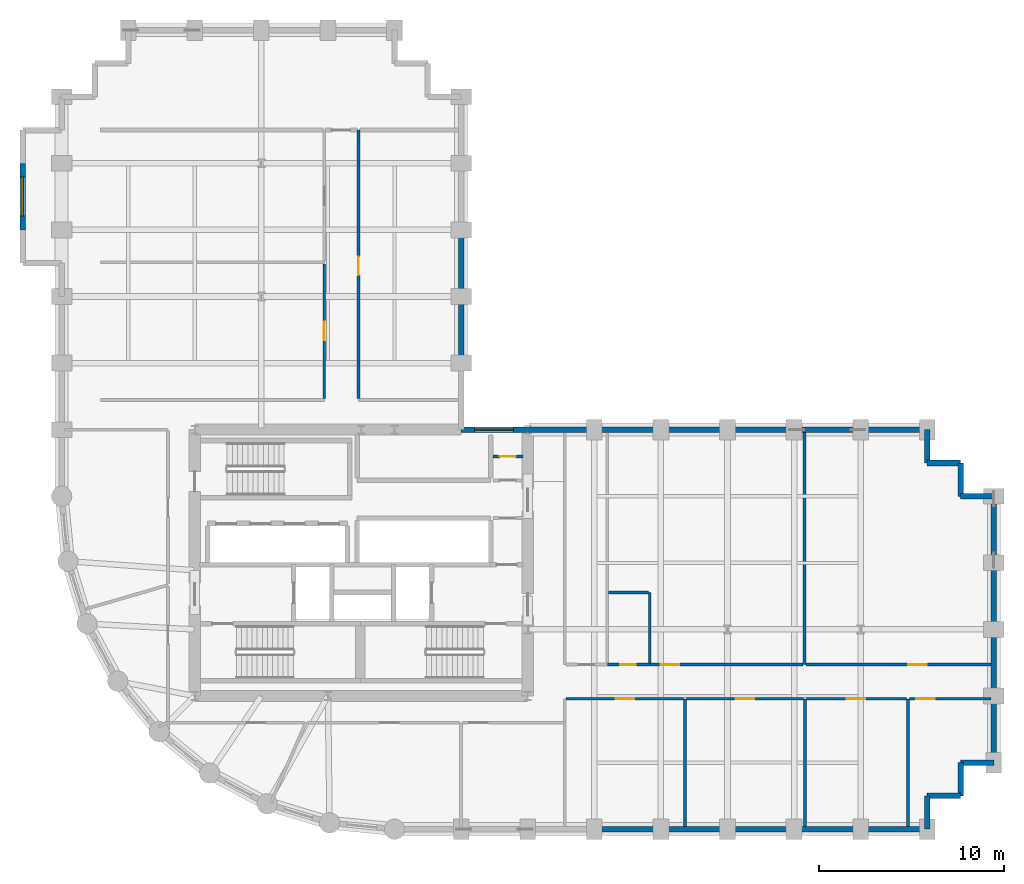
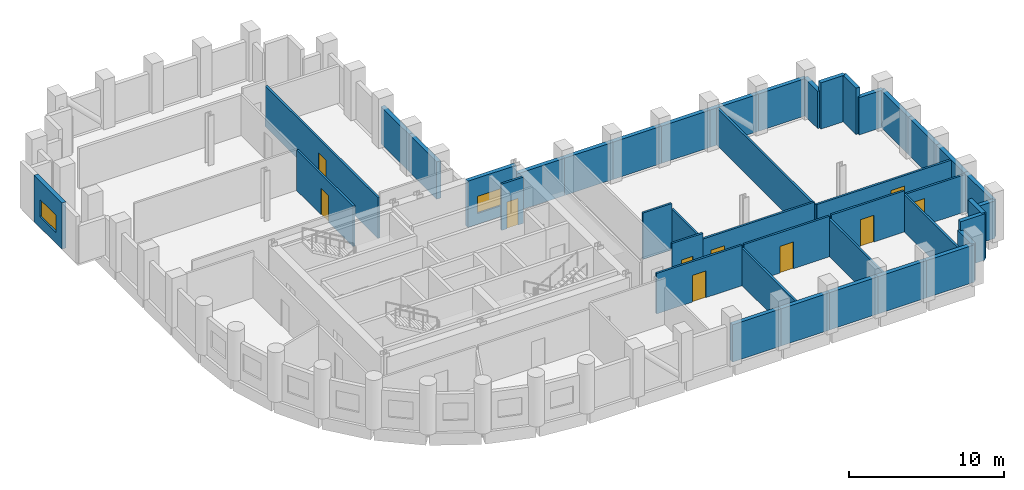
# One storey, part 5 of 7: 43 walls, 10 doors, 2 windows, 12 openings.
"""IFC4 building model written with IfcOpenShell, lengths in metres."""

from ifc_helpers import new_model, si_unit, direction, frame, frame_2d, origin, place, context, subcontext, project, spatial, rectangle, extrude, material, layer, layer_set, type_object, element, fill, save


model = new_model("IFC4")

# Units and contexts
model_context = context("Model", 3, precision=1e-05, world=origin(), true_north=direction((0.0, 1.0)))
body_context = subcontext(model_context, "Body", "Model", "MODEL_VIEW")
ifc_project = project(units=[si_unit("LENGTHUNIT", "METRE"), si_unit("AREAUNIT", "SQUARE_METRE"), si_unit("VOLUMEUNIT", "CUBIC_METRE"), si_unit("PLANEANGLEUNIT", "RADIAN"), si_unit("MASSUNIT", "GRAM", prefix="KILO")], contexts=[model_context])

# Site, building, storey
site_placement = place(None, origin())
site = spatial("IfcSite", under=ifc_project, at=site_placement, CompositionType="ELEMENT")
building_placement = place(site_placement, origin())
building = spatial("IfcBuilding", under=site, at=building_placement, Name="Solnavia Interchange Tower", CompositionType="ELEMENT")
storey_placement = place(building_placement, frame((0.0, 0.0, 91.800048828125)))
storey = spatial("IfcBuildingStorey", under=building, at=storey_placement, Name="L22", CompositionType="ELEMENT", Elevation=91.800048828125)

# Walls
ifc_material_1 = material(Name="Concrete C40/50", Category="concrete")
ifc_layer_1 = layer(ifc_material_1, 0.300048828125)
ifc_layer_set_1 = layer_set([ifc_layer_1], Name="Concrete C40/50")
wall_type_1 = type_object("IfcWallType", Name="Wall-ExtSpandrel-300", PredefinedType="STANDARD", material=ifc_layer_set_1)
wall_1_placement = place(storey_placement, frame((39.60009765625, 3.60009765625, 0.0), z_axis=(0.0, 0.0, 1.0), x_axis=(-1.0, 0.0, 0.0)))
element("IfcWall", 1, at=wall_1_placement, inside=storey, type_object=wall_type_1, Name="EXW-L22-04 Exterior precast spandrel wall", PredefinedType="STANDARD", context=body_context, shape_type="SweptSolid", body=[
    extrude(rectangle(XDim=3.60009765625, YDim=0.300048828125, at=frame_2d((1.800048828125, 0.0))), origin(), (0.0, 0.0, 1.0), 2.929931640625),
])
wall_2_placement = place(storey_placement, frame((43.199951171875, 3.60009765625, 0.0), z_axis=(0.0, 0.0, 1.0), x_axis=(-1.0, 0.0, 0.0)))
element("IfcWall", 2, at=wall_2_placement, inside=storey, type_object=wall_type_1, Name="EXW-L22-05 Exterior precast spandrel wall", PredefinedType="STANDARD", context=body_context, shape_type="SweptSolid", body=[
    extrude(rectangle(XDim=3.599853515625, YDim=0.300048828125, at=frame_2d((1.7998046875, 0.0))), origin(), (0.0, 0.0, 1.0), 2.929931640625),
])
wall_3_placement = place(storey_placement, frame((46.800048828125, 3.60009765625, 0.0), z_axis=(0.0, 0.0, 1.0), x_axis=(-1.0, 0.0, 0.0)))
element("IfcWall", 3, at=wall_3_placement, inside=storey, type_object=wall_type_1, Name="EXW-L22-06 Exterior precast spandrel wall", PredefinedType="STANDARD", context=body_context, shape_type="SweptSolid", body=[
    extrude(rectangle(XDim=3.60009765625, YDim=0.300048828125, at=frame_2d((1.800048828125, 0.0))), origin(), (0.0, 0.0, 1.0), 2.929931640625),
])
wall_4_placement = place(storey_placement, frame((50.39990234375, 3.60009765625, 0.0), z_axis=(0.0, 0.0, 1.0), x_axis=(-1.0, 0.0, 0.0)))
element("IfcWall", 4, at=wall_4_placement, inside=storey, type_object=wall_type_1, Name="EXW-L22-07 Exterior precast spandrel wall", PredefinedType="STANDARD", context=body_context, shape_type="SweptSolid", body=[
    extrude(rectangle(XDim=3.599853515625, YDim=0.300048828125, at=frame_2d((1.7998046875, 0.0))), origin(), (0.0, 0.0, 1.0), 2.929931640625),
])
wall_5_placement = place(storey_placement, frame((54.0, 3.60009765625, 0.0), z_axis=(0.0, 0.0, 1.0), x_axis=(-1.0, 0.0, 0.0)))
element("IfcWall", 5, at=wall_5_placement, inside=storey, type_object=wall_type_1, Name="EXW-L22-08 Exterior precast spandrel wall", PredefinedType="STANDARD", context=body_context, shape_type="SweptSolid", body=[
    extrude(rectangle(XDim=3.60009765625, YDim=0.300048828125, at=frame_2d((1.800048828125, 0.0))), origin(), (0.0, 0.0, 1.0), 2.929931640625),
])
wall_6_placement = place(storey_placement, frame((54.0, 5.39990234375, 0.0), z_axis=(0.0, 0.0, 1.0), x_axis=(0.0, -1.0, 0.0)))
element("IfcWall", 6, at=wall_6_placement, inside=storey, type_object=wall_type_1, Name="EXW-L22-09 Exterior precast spandrel wall", PredefinedType="STANDARD", context=body_context, shape_type="SweptSolid", body=[
    extrude(rectangle(XDim=1.7998046875, YDim=0.300048828125, at=frame_2d((0.89990234375, 0.0))), origin(), (0.0, 0.0, 1.0), 2.929931640625),
])
for number, where, z_axis, x_axis, name in (
    (7, (55.800048828125, 5.39990234375, 0.0), (0.0, 0.0, 1.0), (-1.0, 0.0, 0.0), "EXW-L22-10 Exterior precast spandrel wall"),
    (8, (55.800048828125, 7.199951171875, 0.0), (0.0, 0.0, 1.0), (0.0, -1.0, 0.0), "EXW-L22-11 Exterior precast spandrel wall"),
):
    element("IfcWall", number, at=place(storey_placement, frame(where, z_axis=z_axis, x_axis=x_axis)), inside=storey, type_object=wall_type_1, Name=name, PredefinedType="STANDARD", context=body_context, shape_type="SweptSolid", body=[
        extrude(rectangle(XDim=1.800048828125, YDim=0.300048828125, at=frame_2d((0.89990234375, 0.0))), origin(), (0.0, 0.0, 1.0), 3.635009765625),
    ])
wall_7_placement = place(storey_placement, frame((57.60009765625, 7.199951171875, 0.0), z_axis=(0.0, 0.0, 1.0), x_axis=(-1.0, 0.0, 0.0)))
element("IfcWall", 9, at=wall_7_placement, inside=storey, type_object=wall_type_1, Name="EXW-L22-12 Exterior precast spandrel wall", PredefinedType="STANDARD", context=body_context, shape_type="SweptSolid", body=[
    extrude(rectangle(XDim=1.800048828125, YDim=0.300048828125, at=frame_2d((0.89990234375, 0.0))), origin(), (0.0, 0.0, 1.0), 2.929931640625),
])
wall_8_placement = place(storey_placement, frame((57.60009765625, 10.800048828125, 0.0), z_axis=(0.0, 0.0, 1.0), x_axis=(0.0, -1.0, 0.0)))
element("IfcWall", 10, at=wall_8_placement, inside=storey, type_object=wall_type_1, Name="EXW-L22-13 Exterior precast spandrel wall", PredefinedType="STANDARD", context=body_context, shape_type="SweptSolid", body=[
    extrude(rectangle(XDim=3.60009765625, YDim=0.300048828125, at=frame_2d((1.800048828125, 0.0))), origin(), (0.0, 0.0, 1.0), 2.929931640625),
])
wall_9_placement = place(storey_placement, frame((57.60009765625, 14.39990234375, 0.0), z_axis=(0.0, 0.0, 1.0), x_axis=(0.0, -1.0, 0.0)))
element("IfcWall", 11, at=wall_9_placement, inside=storey, type_object=wall_type_1, Name="EXW-L22-14 Exterior precast spandrel wall", PredefinedType="STANDARD", context=body_context, shape_type="SweptSolid", body=[
    extrude(rectangle(XDim=3.599853515625, YDim=0.300048828125, at=frame_2d((1.7998046875, 0.0))), origin(), (0.0, 0.0, 1.0), 2.929931640625),
])
for number, where, z_axis, x_axis, name in (
    (12, (57.60009765625, 18.0, 0.0), (0.0, 0.0, 1.0), (0.0, -1.0, 0.0), "EXW-L22-15 Exterior precast spandrel wall"),
    (13, (57.60009765625, 21.60009765625, 0.0), (0.0, 0.0, 1.0), (0.0, -1.0, 0.0), "EXW-L22-16 Exterior precast spandrel wall"),
):
    element("IfcWall", number, at=place(storey_placement, frame(where, z_axis=z_axis, x_axis=x_axis)), inside=storey, type_object=wall_type_1, Name=name, PredefinedType="STANDARD", context=body_context, shape_type="SweptSolid", body=[
        extrude(rectangle(XDim=3.60009765625, YDim=0.300048828125, at=frame_2d((1.800048828125, 0.0))), origin(), (0.0, 0.0, 1.0), 2.929931640625),
    ])
wall_10_placement = place(storey_placement, frame((55.800048828125, 21.60009765625, 0.0), z_axis=(0.0, 0.0, 1.0), x_axis=(1.0, 0.0, 0.0)))
element("IfcWall", 14, at=wall_10_placement, inside=storey, type_object=wall_type_1, Name="EXW-L22-17 Exterior precast spandrel wall", PredefinedType="STANDARD", context=body_context, shape_type="SweptSolid", body=[
    extrude(rectangle(XDim=1.800048828125, YDim=0.300048828125, at=frame_2d((0.89990234375, 0.0))), origin(), (0.0, 0.0, 1.0), 2.929931640625),
])
wall_11_placement = place(storey_placement, frame((55.800048828125, 23.39990234375, 0.0), z_axis=(0.0, 0.0, 1.0), x_axis=(0.0, -1.0, 0.0)))
element("IfcWall", 15, at=wall_11_placement, inside=storey, type_object=wall_type_1, Name="EXW-L22-18 Exterior precast spandrel wall", PredefinedType="STANDARD", context=body_context, shape_type="SweptSolid", body=[
    extrude(rectangle(XDim=1.7998046875, YDim=0.300048828125, at=frame_2d((0.89990234375, 0.0))), origin(), (0.0, 0.0, 1.0), 3.635009765625),
])
wall_12_placement = place(storey_placement, frame((54.0, 23.39990234375, 0.0), z_axis=(0.0, 0.0, 1.0), x_axis=(1.0, 0.0, 0.0)))
element("IfcWall", 16, at=wall_12_placement, inside=storey, type_object=wall_type_1, Name="EXW-L22-19 Exterior precast spandrel wall", PredefinedType="STANDARD", context=body_context, shape_type="SweptSolid", body=[
    extrude(rectangle(XDim=1.800048828125, YDim=0.300048828125, at=frame_2d((0.89990234375, 0.0))), origin(), (0.0, 0.0, 1.0), 3.635009765625),
])
wall_13_placement = place(storey_placement, frame((54.0, 25.199951171875, 0.0), z_axis=(0.0, 0.0, 1.0), x_axis=(0.0, -1.0, 0.0)))
element("IfcWall", 17, at=wall_13_placement, inside=storey, type_object=wall_type_1, Name="EXW-L22-20 Exterior precast spandrel wall", PredefinedType="STANDARD", context=body_context, shape_type="SweptSolid", body=[
    extrude(rectangle(XDim=1.800048828125, YDim=0.300048828125, at=frame_2d((0.89990234375, 0.0))), origin(), (0.0, 0.0, 1.0), 2.929931640625),
])
wall_14_placement = place(storey_placement, frame((50.39990234375, 25.199951171875, 0.0), z_axis=(0.0, 0.0, 1.0), x_axis=(1.0, 0.0, 0.0)))
element("IfcWall", 18, at=wall_14_placement, inside=storey, type_object=wall_type_1, Name="EXW-L22-21 Exterior precast spandrel wall", PredefinedType="STANDARD", context=body_context, shape_type="SweptSolid", body=[
    extrude(rectangle(XDim=3.60009765625, YDim=0.300048828125, at=frame_2d((1.800048828125, 0.0))), origin(), (0.0, 0.0, 1.0), 2.929931640625),
])
wall_15_placement = place(storey_placement, frame((46.800048828125, 25.199951171875, 0.0), z_axis=(0.0, 0.0, 1.0), x_axis=(1.0, 0.0, 0.0)))
element("IfcWall", 19, at=wall_15_placement, inside=storey, type_object=wall_type_1, Name="EXW-L22-22 Exterior precast spandrel wall", PredefinedType="STANDARD", context=body_context, shape_type="SweptSolid", body=[
    extrude(rectangle(XDim=3.599853515625, YDim=0.300048828125, at=frame_2d((1.7998046875, 0.0))), origin(), (0.0, 0.0, 1.0), 2.929931640625),
])
wall_16_placement = place(storey_placement, frame((43.199951171875, 25.199951171875, 0.0), z_axis=(0.0, 0.0, 1.0), x_axis=(1.0, 0.0, 0.0)))
element("IfcWall", 20, at=wall_16_placement, inside=storey, type_object=wall_type_1, Name="EXW-L22-23 Exterior precast spandrel wall", PredefinedType="STANDARD", context=body_context, shape_type="SweptSolid", body=[
    extrude(rectangle(XDim=3.60009765625, YDim=0.300048828125, at=frame_2d((1.800048828125, 0.0))), origin(), (0.0, 0.0, 1.0), 2.929931640625),
])
wall_17_placement = place(storey_placement, frame((39.60009765625, 25.199951171875, 0.0), z_axis=(0.0, 0.0, 1.0), x_axis=(1.0, 0.0, 0.0)))
element("IfcWall", 21, at=wall_17_placement, inside=storey, type_object=wall_type_1, Name="EXW-L22-24 Exterior precast spandrel wall", PredefinedType="STANDARD", context=body_context, shape_type="SweptSolid", body=[
    extrude(rectangle(XDim=3.599853515625, YDim=0.300048828125, at=frame_2d((1.7998046875, 0.0))), origin(), (0.0, 0.0, 1.0), 2.929931640625),
])
for number, where, z_axis, x_axis, name in (
    (22, (36.0, 25.199951171875, 0.0), (0.0, 0.0, 1.0), (1.0, 0.0, 0.0), "EXW-L22-25 Exterior precast spandrel wall"),
    (23, (32.39990234375, 25.199951171875, 0.0), (0.0, 0.0, 1.0), (1.0, 0.0, 0.0), "EXW-L22-26 Exterior precast spandrel wall"),
):
    element("IfcWall", number, at=place(storey_placement, frame(where, z_axis=z_axis, x_axis=x_axis)), inside=storey, type_object=wall_type_1, Name=name, PredefinedType="STANDARD", context=body_context, shape_type="SweptSolid", body=[
        extrude(rectangle(XDim=3.60009765625, YDim=0.300048828125, at=frame_2d((1.800048828125, 0.0))), origin(), (0.0, 0.0, 1.0), 2.929931640625),
    ])

# Wall, opening, window
wall_18_placement = place(storey_placement, frame((28.800048828125, 25.199951171875, 0.0), z_axis=(0.0, 0.0, 1.0), x_axis=(1.0, 0.0, 0.0)))
wall_18 = element("IfcWall", 24, at=wall_18_placement, inside=storey, type_object=wall_type_1, Name="EXW-L22-27 Exterior precast spandrel wall", PredefinedType="STANDARD", context=body_context, shape_type="SweptSolid", body=[
    extrude(rectangle(XDim=3.599853515625, YDim=0.300048828125, at=frame_2d((1.7998046875, 0.0))), origin(), (0.0, 0.0, 1.0), 3.635009765625),
])
opening_1_placement = place(wall_18_placement, frame((0.72802734375, 0.0, 0.85009765625)))
opening_1 = element("IfcOpeningElement", 25, at=opening_1_placement, cuts=wall_18, Name="Opening WIN-01", PredefinedType="OPENING", context=body_context, shape_type="SweptSolid", body=[
    extrude(rectangle(XDim=2.10009765625, YDim=1.35009765625, at=frame_2d((1.050048828125, 0.675048828125))), frame((0.0, 0.16015625, 0.0), z_axis=(0.0, -1.0, 0.0), x_axis=(1.0, 0.0, 0.0)), (0.0, 0.0, 1.0), 0.320068359375),
])
ifc_material_2 = material(Name="Thermal-Break Aluminium & Low-E Glass", Category="aluminium")
window_type = type_object("IfcWindowType", Name="Window-Ribbon-2100x1350", PartitioningType="SINGLE_PANEL", PredefinedType="WINDOW", material=ifc_material_2)
window_1_placement = place(opening_1_placement, origin())
window_1 = element("IfcWindow", 26, at=window_1_placement, inside=storey, type_object=window_type, Name="WIN-L22-27 Facade ribbon window", OverallHeight=1.35009765625, OverallWidth=2.10009765625, PartitioningType="SINGLE_PANEL", PredefinedType="WINDOW", context=body_context, shape_type="SweptSolid", body=[
    extrude(rectangle(XDim=2.10009765625, YDim=1.35009765625, at=frame_2d((1.050048828125, 0.675048828125))), frame((0.0, 0.030029296875, 0.0), z_axis=(0.0, -1.0, 0.0), x_axis=(1.0, 0.0, 0.0)), (0.0, 0.0, 1.0), 0.06005859375),
])
fill(opening_1, window_1)

# Walls
wall_19_placement = place(storey_placement, frame((28.800048828125, 32.39990234375, 0.0), z_axis=(0.0, 0.0, 1.0), x_axis=(0.0, -1.0, 0.0)))
element("IfcWall", 27, at=wall_19_placement, inside=storey, type_object=wall_type_1, Name="EXW-L22-29 Exterior precast spandrel wall", PredefinedType="STANDARD", context=body_context, shape_type="SweptSolid", body=[
    extrude(rectangle(XDim=3.599853515625, YDim=0.300048828125, at=frame_2d((1.7998046875, 0.0))), origin(), (0.0, 0.0, 1.0), 2.929931640625),
])
wall_20_placement = place(storey_placement, frame((28.800048828125, 36.0, 0.0), z_axis=(0.0, 0.0, 1.0), x_axis=(0.0, -1.0, 0.0)))
element("IfcWall", 28, at=wall_20_placement, inside=storey, type_object=wall_type_1, Name="EXW-L22-30 Exterior precast spandrel wall", PredefinedType="STANDARD", context=body_context, shape_type="SweptSolid", body=[
    extrude(rectangle(XDim=3.60009765625, YDim=0.300048828125, at=frame_2d((1.800048828125, 0.0))), origin(), (0.0, 0.0, 1.0), 2.929931640625),
])

# Wall, opening, window
wall_21_placement = place(storey_placement, frame((5.10009765625, 36.0, 0.0), z_axis=(0.0, 0.0, 1.0), x_axis=(0.0, 1.0, 0.0)))
wall_21 = element("IfcWall", 29, at=wall_21_placement, inside=storey, type_object=wall_type_1, Name="EXW-L22-48 Exterior precast spandrel wall", PredefinedType="STANDARD", context=body_context, shape_type="SweptSolid", body=[
    extrude(rectangle(XDim=3.60009765625, YDim=0.300048828125, at=frame_2d((1.800048828125, 0.0))), origin(), (0.0, 0.0, 1.0), 3.635009765625),
])
opening_2_placement = place(wall_21_placement, frame((0.75, 0.0, 0.85009765625)))
opening_2 = element("IfcOpeningElement", 30, at=opening_2_placement, cuts=wall_21, Name="Opening WIN-01", PredefinedType="OPENING", context=body_context, shape_type="SweptSolid", body=[
    extrude(rectangle(XDim=2.10009765625, YDim=1.35009765625, at=frame_2d((1.050048828125, 0.675048828125))), frame((0.0, 0.16015625, 0.0), z_axis=(0.0, -1.0, 0.0), x_axis=(1.0, 0.0, 0.0)), (0.0, 0.0, 1.0), 0.320068359375),
])
window_2_placement = place(opening_2_placement, origin())
window_2 = element("IfcWindow", 31, at=window_2_placement, inside=storey, type_object=window_type, Name="WIN-L22-48 Facade ribbon window", OverallHeight=1.35009765625, OverallWidth=2.10009765625, PartitioningType="SINGLE_PANEL", PredefinedType="WINDOW", context=body_context, shape_type="SweptSolid", body=[
    extrude(rectangle(XDim=2.10009765625, YDim=1.35009765625, at=frame_2d((1.050048828125, 0.675048828125))), frame((0.0, 0.030029296875, 0.0), z_axis=(0.0, -1.0, 0.0), x_axis=(1.0, 0.0, 0.0)), (0.0, 0.0, 1.0), 0.06005859375),
])
fill(opening_2, window_2)

# Wall, opening, door
ifc_material_3 = material(Name="Gypsum Plasterboard & Steel Stud", Category="steel")
ifc_layer_2 = layer(ifc_material_3, 0.14990234375)
ifc_layer_set_2 = layer_set([ifc_layer_2], Name="Gypsum Plasterboard & Steel Stud")
wall_type_2 = type_object("IfcWallType", Name="Wall-Partition-150", PredefinedType="PARTITIONING", material=ifc_layer_set_2)
wall_22_placement = place(storey_placement, frame((30.52001953125, 23.75, 0.0), z_axis=(0.0, 0.0, 1.0), x_axis=(1.0, 0.0, 0.0)))
wall_22 = element("IfcWall", 32, at=wall_22_placement, inside=storey, type_object=wall_type_2, Name="CSW-L22-NE-M Core shaft wall", PredefinedType="PARTITIONING", context=body_context, shape_type="SweptSolid", body=[
    extrude(rectangle(XDim=1.6298828125, YDim=0.14990234375, at=frame_2d((0.81494140625, 0.0))), origin(), (0.0, 0.0, 1.0), 3.635009765625),
])
opening_3_placement = place(wall_22_placement, frame((0.3798828125, 0.0, 0.0)))
opening_3 = element("IfcOpeningElement", 33, at=opening_3_placement, cuts=wall_22, Name="Opening DR-10", PredefinedType="OPENING", context=body_context, shape_type="SweptSolid", body=[
    extrude(rectangle(XDim=0.85009765625, YDim=2.10009765625, at=frame_2d((0.425048828125, 1.050048828125))), frame((0.0, 0.0849609375, 0.0), z_axis=(0.0, -1.0, 0.0), x_axis=(1.0, 0.0, 0.0)), (0.0, 0.0, 1.0), 0.169921875),
])
ifc_material_4 = material(Name="Moisture-Resistant Timber Door", Category="wood")
door_type_1 = type_object("IfcDoorType", Name="Door-Bathroom-850x2100", OperationType="SINGLE_SWING_RIGHT", PredefinedType="DOOR", material=ifc_material_4)
door_1_placement = place(opening_3_placement, origin())
door_1 = element("IfcDoor", 34, at=door_1_placement, inside=storey, type_object=door_type_1, Name="DR-L22-CNE2 Core fire door", OperationType="SINGLE_SWING_LEFT", OverallHeight=2.10009765625, OverallWidth=0.85009765625, PredefinedType="DOOR", context=body_context, shape_type="SweptSolid", body=[
    extrude(rectangle(XDim=0.85009765625, YDim=2.10009765625, at=frame_2d((0.425048828125, 1.050048828125))), frame((0.0, 0.02490234375, 0.0), z_axis=(0.0, -1.0, 0.0), x_axis=(1.0, 0.0, 0.0)), (0.0, 0.0, 1.0), 0.050048828125),
])
fill(opening_3, door_1)

# Wall
wall_23_placement = place(storey_placement, frame((40.89990234375, 3.75390625, 0.0), z_axis=(0.0, 0.0, 1.0), x_axis=(0.0, 1.0, 0.0)))
element("IfcWall", 35, at=wall_23_placement, inside=storey, type_object=wall_type_2, Name="PTW-L22-18 Interior partition wall", PredefinedType="PARTITIONING", context=body_context, shape_type="SweptSolid", body=[
    extrude(rectangle(XDim=6.89599609375, YDim=0.14990234375, at=frame_2d((3.447998046875, 0.0))), origin(), (0.0, 0.0, 1.0), 2.929931640625),
])

# Wall, opening, door
wall_24_placement = place(storey_placement, frame((34.47900390625, 10.64990234375, 0.0), z_axis=(0.0, 0.0, 1.0), x_axis=(1.0, 0.0, 0.0)))
wall_24 = element("IfcWall", 36, at=wall_24_placement, inside=storey, type_object=wall_type_2, Name="PTW-L22-19 Interior partition wall", PredefinedType="PARTITIONING", context=body_context, shape_type="SweptSolid", body=[
    extrude(rectangle(XDim=6.342041015625, YDim=0.14990234375, at=frame_2d((3.1708984375, 0.0))), origin(), (0.0, 0.0, 1.0), 3.179931640625),
])
opening_4_placement = place(wall_24_placement, frame((2.6708984375, 0.0, 0.0)))
opening_4 = element("IfcOpeningElement", 37, at=opening_4_placement, cuts=wall_24, Name="Opening DR-07", PredefinedType="OPENING", context=body_context, shape_type="SweptSolid", body=[
    extrude(rectangle(XDim=1.0, YDim=2.10009765625, at=frame_2d((0.5, 1.050048828125))), frame((0.0, 0.0849609375, 0.0), z_axis=(0.0, -1.0, 0.0), x_axis=(1.0, 0.0, 0.0)), (0.0, 0.0, 1.0), 0.169921875),
])
ifc_material_5 = material(Name="Timber & Acoustic Glazed Office Door", Category="wood")
door_type_2 = type_object("IfcDoorType", Name="Door-Office-1000x2100", OperationType="SINGLE_SWING_RIGHT", PredefinedType="DOOR", material=ifc_material_5)
door_2_placement = place(opening_4_placement, origin())
door_2 = element("IfcDoor", 38, at=door_2_placement, inside=storey, type_object=door_type_2, Name="DR-L22-08 Interior room door", OperationType="SINGLE_SWING_RIGHT", OverallHeight=2.10009765625, OverallWidth=1.0, PredefinedType="DOOR", context=body_context, shape_type="SweptSolid", body=[
    extrude(rectangle(XDim=1.0, YDim=2.10009765625, at=frame_2d((0.5, 1.050048828125))), frame((0.0, 0.02490234375, 0.0), z_axis=(0.0, -1.0, 0.0), x_axis=(1.0, 0.0, 0.0)), (0.0, 0.0, 1.0), 0.050048828125),
])
fill(opening_4, door_2)

# Wall
wall_25_placement = place(storey_placement, frame((47.389892578125, 3.75390625, 0.0), z_axis=(0.0, 0.0, 1.0), x_axis=(0.0, 1.0, 0.0)))
element("IfcWall", 39, at=wall_25_placement, inside=storey, type_object=wall_type_2, Name="PTW-L22-20 Interior partition wall", PredefinedType="PARTITIONING", context=body_context, shape_type="SweptSolid", body=[
    extrude(rectangle(XDim=6.89599609375, YDim=0.14990234375, at=frame_2d((3.447998046875, 0.0))), origin(), (0.0, 0.0, 1.0), 2.929931640625),
])

# Wall, opening, door
wall_26_placement = place(storey_placement, frame((40.97900390625, 10.64990234375, 0.0), z_axis=(0.0, 0.0, 1.0), x_axis=(1.0, 0.0, 0.0)))
wall_26 = element("IfcWall", 40, at=wall_26_placement, inside=storey, type_object=wall_type_2, Name="PTW-L22-21 Interior partition wall", PredefinedType="PARTITIONING", context=body_context, shape_type="SweptSolid", body=[
    extrude(rectangle(XDim=6.33203125, YDim=0.14990234375, at=frame_2d((3.166015625, 0.0))), origin(), (0.0, 0.0, 1.0), 3.179931640625),
])
opening_5_placement = place(wall_26_placement, frame((2.666015625, 0.0, 0.0)))
opening_5 = element("IfcOpeningElement", 41, at=opening_5_placement, cuts=wall_26, Name="Opening DR-07", PredefinedType="OPENING", context=body_context, shape_type="SweptSolid", body=[
    extrude(rectangle(XDim=1.0, YDim=2.10009765625, at=frame_2d((0.5, 1.050048828125))), frame((0.0, 0.0849609375, 0.0), z_axis=(0.0, -1.0, 0.0), x_axis=(1.0, 0.0, 0.0)), (0.0, 0.0, 1.0), 0.169921875),
])
door_3_placement = place(opening_5_placement, origin())
door_3 = element("IfcDoor", 42, at=door_3_placement, inside=storey, type_object=door_type_2, Name="DR-L22-09 Interior room door", OperationType="SINGLE_SWING_RIGHT", OverallHeight=2.10009765625, OverallWidth=1.0, PredefinedType="DOOR", context=body_context, shape_type="SweptSolid", body=[
    extrude(rectangle(XDim=1.0, YDim=2.10009765625, at=frame_2d((0.5, 1.050048828125))), frame((0.0, 0.02490234375, 0.0), z_axis=(0.0, -1.0, 0.0), x_axis=(1.0, 0.0, 0.0)), (0.0, 0.0, 1.0), 0.050048828125),
])
fill(opening_5, door_3)

# Wall
wall_27_placement = place(storey_placement, frame((52.9599609375, 3.75390625, 0.0), z_axis=(0.0, 0.0, 1.0), x_axis=(0.0, 1.0, 0.0)))
element("IfcWall", 43, at=wall_27_placement, inside=storey, type_object=wall_type_2, Name="PTW-L22-22 Interior partition wall", PredefinedType="PARTITIONING", context=body_context, shape_type="SweptSolid", body=[
    extrude(rectangle(XDim=6.89599609375, YDim=0.14990234375, at=frame_2d((3.447998046875, 0.0))), origin(), (0.0, 0.0, 1.0), 2.929931640625),
])

# Wall, opening, door
wall_28_placement = place(storey_placement, frame((47.468994140625, 10.64990234375, 0.0), z_axis=(0.0, 0.0, 1.0), x_axis=(1.0, 0.0, 0.0)))
wall_28 = element("IfcWall", 44, at=wall_28_placement, inside=storey, type_object=wall_type_2, Name="PTW-L22-23 Interior partition wall", PredefinedType="PARTITIONING", context=body_context, shape_type="SweptSolid", body=[
    extrude(rectangle(XDim=5.412109375, YDim=0.14990234375, at=frame_2d((2.7060546875, 0.0))), origin(), (0.0, 0.0, 1.0), 3.22998046875),
])
opening_6_placement = place(wall_28_placement, frame((2.1669921875, 0.0, 0.0)))
opening_6 = element("IfcOpeningElement", 45, at=opening_6_placement, cuts=wall_28, Name="Opening DR-07", PredefinedType="OPENING", context=body_context, shape_type="SweptSolid", body=[
    extrude(rectangle(XDim=1.0, YDim=2.10009765625, at=frame_2d((0.5, 1.050048828125))), frame((0.0, 0.0849609375, 0.0), z_axis=(0.0, -1.0, 0.0), x_axis=(1.0, 0.0, 0.0)), (0.0, 0.0, 1.0), 0.169921875),
])
door_4_placement = place(opening_6_placement, origin())
door_4 = element("IfcDoor", 46, at=door_4_placement, inside=storey, type_object=door_type_2, Name="DR-L22-10 Interior room door", OperationType="SINGLE_SWING_LEFT", OverallHeight=2.10009765625, OverallWidth=1.0, PredefinedType="DOOR", context=body_context, shape_type="SweptSolid", body=[
    extrude(rectangle(XDim=1.0, YDim=2.10009765625, at=frame_2d((0.5, 1.050048828125))), frame((0.0, 0.02490234375, 0.0), z_axis=(0.0, -1.0, 0.0), x_axis=(1.0, 0.0, 0.0)), (0.0, 0.0, 1.0), 0.050048828125),
])
fill(opening_6, door_4)

wall_29_placement = place(storey_placement, frame((53.0390625, 10.64990234375, 0.0), z_axis=(0.0, 0.0, 1.0), x_axis=(1.0, 0.0, 0.0)))
wall_29 = element("IfcWall", 47, at=wall_29_placement, inside=storey, type_object=wall_type_2, Name="PTW-L22-24 Interior partition wall", PredefinedType="PARTITIONING", context=body_context, shape_type="SweptSolid", body=[
    extrude(rectangle(XDim=4.406982421875, YDim=0.14990234375, at=frame_2d((2.20361328125, 0.0))), origin(), (0.0, 0.0, 1.0), 2.929931640625),
])
opening_7_placement = place(wall_29_placement, frame((0.360107421875, 0.0, 0.0)))
opening_7 = element("IfcOpeningElement", 48, at=opening_7_placement, cuts=wall_29, Name="Opening DR-07", PredefinedType="OPENING", context=body_context, shape_type="SweptSolid", body=[
    extrude(rectangle(XDim=1.0, YDim=2.10009765625, at=frame_2d((0.5, 1.050048828125))), frame((0.0, 0.0849609375, 0.0), z_axis=(0.0, -1.0, 0.0), x_axis=(1.0, 0.0, 0.0)), (0.0, 0.0, 1.0), 0.169921875),
])
door_5_placement = place(opening_7_placement, origin())
door_5 = element("IfcDoor", 49, at=door_5_placement, inside=storey, type_object=door_type_2, Name="DR-L22-11 Interior room door", OperationType="SINGLE_SWING_RIGHT", OverallHeight=2.10009765625, OverallWidth=1.0, PredefinedType="DOOR", context=body_context, shape_type="SweptSolid", body=[
    extrude(rectangle(XDim=1.0, YDim=2.10009765625, at=frame_2d((0.5, 1.050048828125))), frame((0.0, 0.02490234375, 0.0), z_axis=(0.0, -1.0, 0.0), x_axis=(1.0, 0.0, 0.0)), (0.0, 0.0, 1.0), 0.050048828125),
])
fill(opening_7, door_5)

# Wall
wall_30_placement = place(storey_placement, frame((47.3701171875, 12.5, 0.0), z_axis=(0.0, 0.0, 1.0), x_axis=(0.0, 1.0, 0.0)))
element("IfcWall", 50, at=wall_30_placement, inside=storey, type_object=wall_type_2, Name="PTW-L22-25 Interior partition wall", PredefinedType="PARTITIONING", context=body_context, shape_type="SweptSolid", body=[
    extrude(rectangle(XDim=12.5458984375, YDim=0.14990234375, at=frame_2d((6.27294921875, 0.0))), origin(), (0.0, 0.0, 1.0), 2.929931640625),
])

# Wall, opening, door
wall_31_placement = place(storey_placement, frame((39.0, 12.5, 0.0), z_axis=(0.0, 0.0, 1.0), x_axis=(1.0, 0.0, 0.0)))
wall_31 = element("IfcWall", 51, at=wall_31_placement, inside=storey, type_object=wall_type_2, Name="PTW-L22-26 Interior partition wall", PredefinedType="PARTITIONING", context=body_context, shape_type="SweptSolid", body=[
    extrude(rectangle(XDim=8.291015625, YDim=0.14990234375, at=frame_2d((4.1455078125, 0.0))), origin(), (0.0, 0.0, 1.0), 3.18994140625),
])
opening_8_placement = place(wall_31_placement, frame((0.596923828125, 0.0, 0.0)))
opening_8 = element("IfcOpeningElement", 52, at=opening_8_placement, cuts=wall_31, Name="Opening DR-07", PredefinedType="OPENING", context=body_context, shape_type="SweptSolid", body=[
    extrude(rectangle(XDim=1.0, YDim=2.10009765625, at=frame_2d((0.5, 1.050048828125))), frame((0.0, 0.0849609375, 0.0), z_axis=(0.0, -1.0, 0.0), x_axis=(1.0, 0.0, 0.0)), (0.0, 0.0, 1.0), 0.169921875),
])
door_6_placement = place(opening_8_placement, origin())
door_6 = element("IfcDoor", 53, at=door_6_placement, inside=storey, type_object=door_type_2, Name="DR-L22-12 Interior room door", OperationType="SINGLE_SWING_RIGHT", OverallHeight=2.10009765625, OverallWidth=1.0, PredefinedType="DOOR", context=body_context, shape_type="SweptSolid", body=[
    extrude(rectangle(XDim=1.0, YDim=2.10009765625, at=frame_2d((0.5, 1.050048828125))), frame((0.0, 0.02490234375, 0.0), z_axis=(0.0, -1.0, 0.0), x_axis=(1.0, 0.0, 0.0)), (0.0, 0.0, 1.0), 0.050048828125),
])
fill(opening_8, door_6)

wall_32_placement = place(storey_placement, frame((47.448974609375, 12.5, 0.0), z_axis=(0.0, 0.0, 1.0), x_axis=(1.0, 0.0, 0.0)))
wall_32 = element("IfcWall", 54, at=wall_32_placement, inside=storey, type_object=wall_type_2, Name="PTW-L22-27 Interior partition wall", PredefinedType="PARTITIONING", context=body_context, shape_type="SweptSolid", body=[
    extrude(rectangle(XDim=9.9970703125, YDim=0.14990234375, at=frame_2d((4.99853515625, 0.0))), origin(), (0.0, 0.0, 1.0), 2.929931640625),
])
opening_9_placement = place(wall_32_placement, frame((5.530029296875, 0.0, 0.0)))
opening_9 = element("IfcOpeningElement", 55, at=opening_9_placement, cuts=wall_32, Name="Opening DR-07", PredefinedType="OPENING", context=body_context, shape_type="SweptSolid", body=[
    extrude(rectangle(XDim=1.0, YDim=2.10009765625, at=frame_2d((0.5, 1.050048828125))), frame((0.0, 0.0849609375, 0.0), z_axis=(0.0, -1.0, 0.0), x_axis=(1.0, 0.0, 0.0)), (0.0, 0.0, 1.0), 0.169921875),
])
door_7_placement = place(opening_9_placement, origin())
door_7 = element("IfcDoor", 56, at=door_7_placement, inside=storey, type_object=door_type_2, Name="DR-L22-13 Interior room door", OperationType="SINGLE_SWING_RIGHT", OverallHeight=2.10009765625, OverallWidth=1.0, PredefinedType="DOOR", context=body_context, shape_type="SweptSolid", body=[
    extrude(rectangle(XDim=1.0, YDim=2.10009765625, at=frame_2d((0.5, 1.050048828125))), frame((0.0, 0.02490234375, 0.0), z_axis=(0.0, -1.0, 0.0), x_axis=(1.0, 0.0, 0.0)), (0.0, 0.0, 1.0), 0.050048828125),
])
fill(opening_9, door_7)

wall_33_placement = place(storey_placement, frame((21.39990234375, 26.87890625, 0.0), z_axis=(0.0, 0.0, 1.0), x_axis=(0.0, 1.0, 0.0)))
wall_33 = element("IfcWall", 57, at=wall_33_placement, inside=storey, type_object=wall_type_2, Name="PTW-L22-30 Interior partition wall", PredefinedType="PARTITIONING", context=body_context, shape_type="SweptSolid", body=[
    extrude(rectangle(XDim=7.2919921875, YDim=0.14990234375, at=frame_2d((3.64599609375, 0.0))), origin(), (0.0, 0.0, 1.0), 3.18994140625),
])
opening_10_placement = place(wall_33_placement, frame((3.14599609375, 0.0, 0.0)))
opening_10 = element("IfcOpeningElement", 58, at=opening_10_placement, cuts=wall_33, Name="Opening DR-07", PredefinedType="OPENING", context=body_context, shape_type="SweptSolid", body=[
    extrude(rectangle(XDim=1.0, YDim=2.10009765625, at=frame_2d((0.5, 1.050048828125))), frame((0.0, 0.0849609375, 0.0), z_axis=(0.0, -1.0, 0.0), x_axis=(1.0, 0.0, 0.0)), (0.0, 0.0, 1.0), 0.169921875),
])
door_8_placement = place(opening_10_placement, origin())
door_8 = element("IfcDoor", 59, at=door_8_placement, inside=storey, type_object=door_type_2, Name="DR-L22-14 Interior room door", OperationType="SINGLE_SWING_RIGHT", OverallHeight=2.10009765625, OverallWidth=1.0, PredefinedType="DOOR", context=body_context, shape_type="SweptSolid", body=[
    extrude(rectangle(XDim=1.0, YDim=2.10009765625, at=frame_2d((0.5, 1.050048828125))), frame((0.0, 0.02490234375, 0.0), z_axis=(0.0, -1.0, 0.0), x_axis=(1.0, 0.0, 0.0)), (0.0, 0.0, 1.0), 0.050048828125),
])
fill(opening_10, door_8)

wall_34_placement = place(storey_placement, frame((23.25, 26.87890625, 0.0), z_axis=(0.0, 0.0, 1.0), x_axis=(0.0, 1.0, 0.0)))
wall_34 = element("IfcWall", 60, at=wall_34_placement, inside=storey, type_object=wall_type_2, Name="PTW-L22-33 Interior partition wall", PredefinedType="PARTITIONING", context=body_context, shape_type="SweptSolid", body=[
    extrude(rectangle(XDim=14.52099609375, YDim=0.14990234375, at=frame_2d((7.260498046875, 0.0))), origin(), (0.0, 0.0, 1.0), 3.18994140625),
])
opening_11_placement = place(wall_34_placement, frame((6.680908203125, 0.0, 0.0)))
opening_11 = element("IfcOpeningElement", 61, at=opening_11_placement, cuts=wall_34, Name="Opening DR-07", PredefinedType="OPENING", context=body_context, shape_type="SweptSolid", body=[
    extrude(rectangle(XDim=1.0, YDim=2.10009765625, at=frame_2d((0.5, 1.050048828125))), frame((0.0, 0.0849609375, 0.0), z_axis=(0.0, -1.0, 0.0), x_axis=(1.0, 0.0, 0.0)), (0.0, 0.0, 1.0), 0.169921875),
])
door_9_placement = place(opening_11_placement, origin())
door_9 = element("IfcDoor", 62, at=door_9_placement, inside=storey, type_object=door_type_2, Name="DR-L22-16 Interior room door", OperationType="SINGLE_SWING_LEFT", OverallHeight=2.10009765625, OverallWidth=1.0, PredefinedType="DOOR", context=body_context, shape_type="SweptSolid", body=[
    extrude(rectangle(XDim=1.0, YDim=2.10009765625, at=frame_2d((0.5, 1.050048828125))), frame((0.0, 0.02490234375, 0.0), z_axis=(0.0, -1.0, 0.0), x_axis=(1.0, 0.0, 0.0)), (0.0, 0.0, 1.0), 0.050048828125),
])
fill(opening_11, door_9)

ifc_material_6 = material(Name="Moisture-Resistant Gypsum & Steel Stud", Category="steel")
ifc_layer_3 = layer(ifc_material_6, 0.14990234375)
ifc_layer_set_3 = layer_set([ifc_layer_3], Name="Moisture-Resistant Gypsum & Steel Stud")
wall_type_3 = type_object("IfcWallType", Name="Wall-WetRoom-150", PredefinedType="PARTITIONING", material=ifc_layer_set_3)
wall_35_placement = place(storey_placement, frame((36.699951171875, 12.5, 0.0), z_axis=(0.0, 0.0, 1.0), x_axis=(1.0, 0.0, 0.0)))
wall_35 = element("IfcWall", 63, at=wall_35_placement, inside=storey, type_object=wall_type_3, Name="PTW-L22-04 Interior partition wall", PredefinedType="PARTITIONING", context=body_context, shape_type="SweptSolid", body=[
    extrude(rectangle(XDim=2.300048828125, YDim=0.14990234375, at=frame_2d((1.14990234375, 0.0))), origin(), (0.0, 0.0, 1.0), 3.635009765625),
])
opening_12_placement = place(wall_35_placement, frame((0.697021484375, 0.0, 0.0)))
opening_12 = element("IfcOpeningElement", 64, at=opening_12_placement, cuts=wall_35, Name="Opening DR-10", PredefinedType="OPENING", context=body_context, shape_type="SweptSolid", body=[
    extrude(rectangle(XDim=0.85009765625, YDim=2.10009765625, at=frame_2d((0.425048828125, 1.050048828125))), frame((0.0, 0.0849609375, 0.0), z_axis=(0.0, -1.0, 0.0), x_axis=(1.0, 0.0, 0.0)), (0.0, 0.0, 1.0), 0.169921875),
])
door_10_placement = place(opening_12_placement, origin())
door_10 = element("IfcDoor", 65, at=door_10_placement, inside=storey, type_object=door_type_1, Name="DR-L22-02 Interior room door", OperationType="SINGLE_SWING_RIGHT", OverallHeight=2.10009765625, OverallWidth=0.85009765625, PredefinedType="DOOR", context=body_context, shape_type="SweptSolid", body=[
    extrude(rectangle(XDim=0.85009765625, YDim=2.10009765625, at=frame_2d((0.425048828125, 1.050048828125))), frame((0.0, 0.02490234375, 0.0), z_axis=(0.0, -1.0, 0.0), x_axis=(1.0, 0.0, 0.0)), (0.0, 0.0, 1.0), 0.050048828125),
])
fill(opening_12, door_10)

# Walls
wall_36_placement = place(storey_placement, frame((39.0, 12.5791015625, 0.0), z_axis=(0.0, 0.0, 1.0), x_axis=(0.0, 1.0, 0.0)))
element("IfcWall", 66, at=wall_36_placement, inside=storey, type_object=wall_type_3, Name="PTW-L22-05 Interior partition wall", PredefinedType="PARTITIONING", context=body_context, shape_type="SweptSolid", body=[
    extrude(rectangle(XDim=3.82080078125, YDim=0.14990234375, at=frame_2d((1.910400390625, 0.0))), origin(), (0.0, 0.0, 1.0), 3.179931640625),
])
wall_37_placement = place(storey_placement, frame((36.779052734375, 16.39990234375, 0.0), z_axis=(0.0, 0.0, 1.0), x_axis=(1.0, 0.0, 0.0)))
element("IfcWall", 67, at=wall_37_placement, inside=storey, type_object=wall_type_3, Name="PTW-L22-06 Interior partition wall", PredefinedType="PARTITIONING", context=body_context, shape_type="SweptSolid", body=[
    extrude(rectangle(XDim=2.141845703125, YDim=0.14990234375, at=frame_2d((1.07080078125, 0.0))), origin(), (0.0, 0.0, 1.0), 3.635009765625),
])

save(model, "model.ifc")
